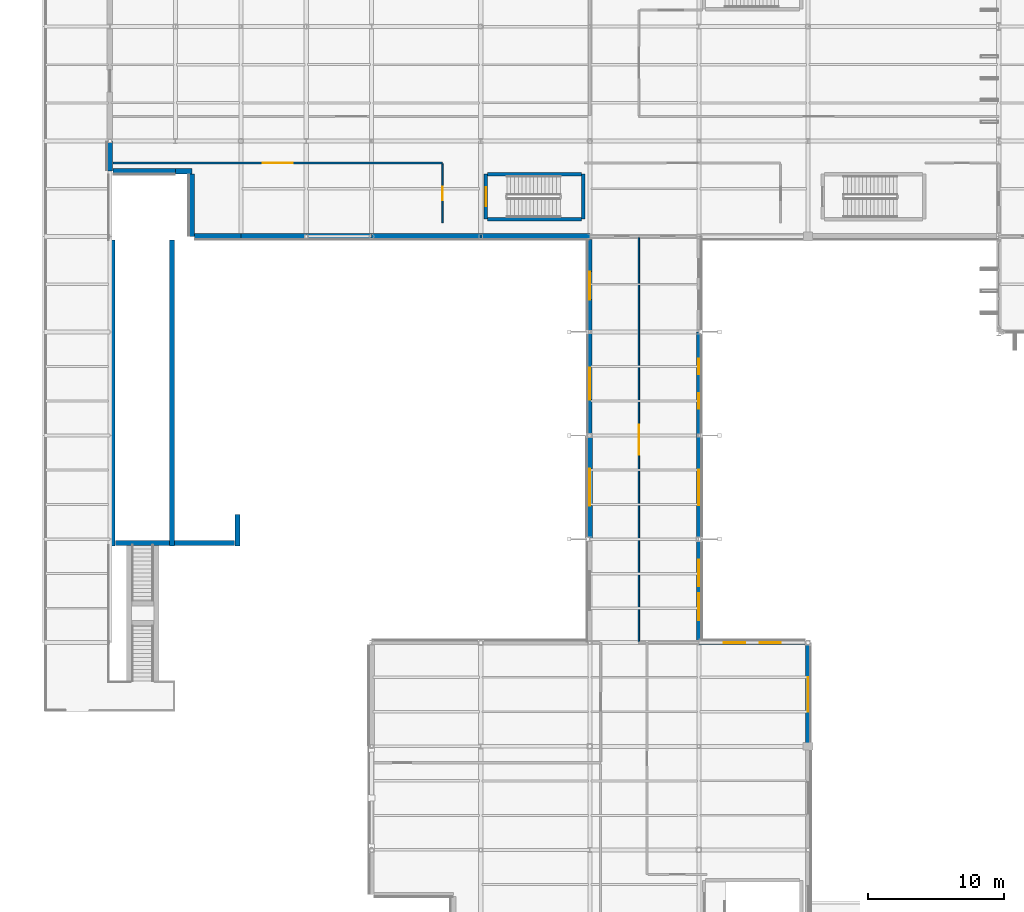
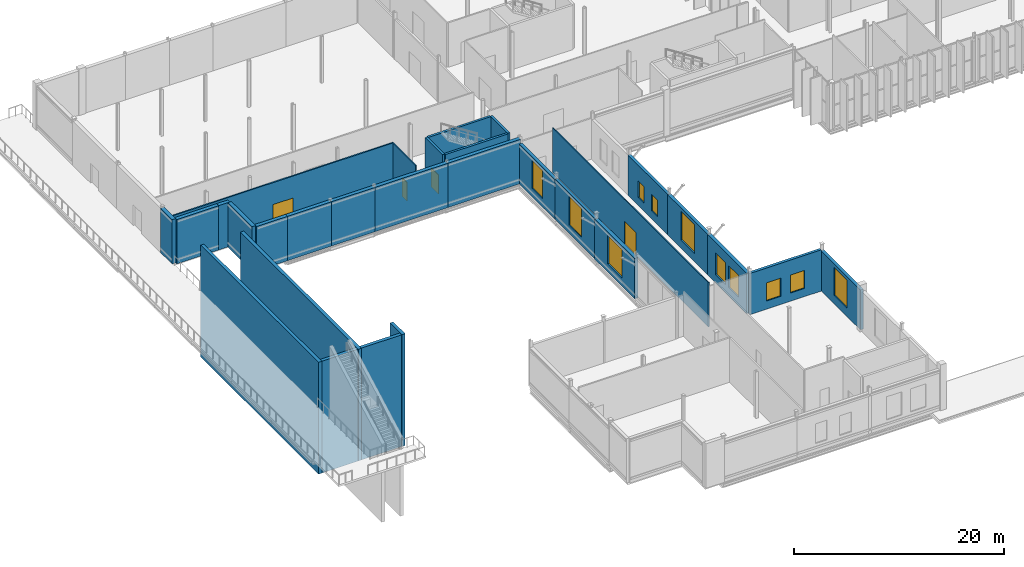
# One storey, part 116 of 147: 29 walls, 11 windows, 4 doors, 15 openings.
"""IFC4 building model written with IfcOpenShell, lengths in metres."""

from ifc_helpers import new_model, si_unit, direction, frame, frame_2d, origin, place, context, subcontext, project, spatial, rectangle, extrude, material, layer, layer_set, type_object, element, fill, save


model = new_model("IFC4")

# Units and contexts
model_context = context("Model", 3, precision=1e-05, world=origin(), true_north=direction((0.0, 1.0)))
body_context = subcontext(model_context, "Body", "Model", "MODEL_VIEW")
ifc_project = project(units=[si_unit("LENGTHUNIT", "METRE"), si_unit("AREAUNIT", "SQUARE_METRE"), si_unit("VOLUMEUNIT", "CUBIC_METRE"), si_unit("PLANEANGLEUNIT", "RADIAN"), si_unit("MASSUNIT", "GRAM", prefix="KILO")], contexts=[model_context])

# Site, building, storey
site_placement = place(None, origin())
site = spatial("IfcSite", under=ifc_project, at=site_placement, CompositionType="ELEMENT")
building_placement = place(site_placement, origin())
building = spatial("IfcBuilding", under=site, at=building_placement, Name="Vekula Escarpment Museum", CompositionType="ELEMENT")
storey_placement = place(building_placement, frame((0.0, 0.0, 7.800048828125)))
storey = spatial("IfcBuildingStorey", under=building, at=storey_placement, Name="L02", CompositionType="ELEMENT", Elevation=7.800048828125)

# Wall, openings, windows
ifc_material_1 = material(Name="Inkisi arkosic sandstone masonry", Category="masonry")
ifc_layer_1 = layer(ifc_material_1, 0.300048828125)
ifc_layer_set_1 = layer_set([ifc_layer_1], Name="Inkisi arkosic sandstone masonry")
wall_type_1 = type_object("IfcWallType", Name="WL-ALM-300", PredefinedType="SOLIDWALL", material=ifc_layer_set_1)
wall_1_placement = place(storey_placement, frame((48.0, 22.800048828125, 0.0), z_axis=(0.0, 0.0, 1.0), x_axis=(1.0, 0.0, 0.0)))
wall_1 = element("IfcWall", 1, at=wall_1_placement, inside=storey, type_object=wall_type_1, Name="Exterior Wall WL-EXT-L02-0323", PredefinedType="SOLIDWALL", context=body_context, shape_type="SweptSolid", body=[
    extrude(rectangle(XDim=7.8359375, YDim=0.300048828125, at=frame_2d((3.91796875, 0.0))), origin(), (0.0, 0.0, 1.0), 4.784912109375),
])
opening_1_placement = place(wall_1_placement, frame((1.8369140625, 0.0, 0.949951171875)))
opening_1 = element("IfcOpeningElement", 2, at=opening_1_placement, cuts=wall_1, Name="Opening WN-24", PredefinedType="OPENING", context=body_context, shape_type="SweptSolid", body=[
    extrude(rectangle(XDim=1.550048828125, YDim=2.10009765625, at=frame_2d((0.77490234375, 1.050048828125))), frame((0.0, 0.159912109375, 0.0), z_axis=(0.0, -1.0, 0.0), x_axis=(1.0, 0.0, 0.0)), (0.0, 0.0, 1.0), 0.320068359375),
])
opening_2_placement = place(wall_1_placement, frame((4.448974609375, 0.0, 0.949951171875)))
opening_2 = element("IfcOpeningElement", 3, at=opening_2_placement, cuts=wall_1, Name="Opening WN-24", PredefinedType="OPENING", context=body_context, shape_type="SweptSolid", body=[
    extrude(rectangle(XDim=1.550048828125, YDim=2.10009765625, at=frame_2d((0.77490234375, 1.050048828125))), frame((0.0, 0.159912109375, 0.0), z_axis=(0.0, -1.0, 0.0), x_axis=(1.0, 0.0, 0.0)), (0.0, 0.0, 1.0), 0.320068359375),
])
ifc_material_2 = material(Name="Double solar-control low-E glass", Category="glass")
window_type_1 = type_object("IfcWindowType", Name="WN-GAL-15x21", PartitioningType="SINGLE_PANEL", PredefinedType="WINDOW", material=ifc_material_2)
window_1_placement = place(opening_1_placement, origin())
window_1 = element("IfcWindow", 4, at=window_1_placement, inside=storey, type_object=window_type_1, Name="Window L02-0136", OverallHeight=2.10009765625, OverallWidth=1.550048828125, PartitioningType="SINGLE_PANEL", PredefinedType="WINDOW", context=body_context, shape_type="SweptSolid", body=[
    extrude(rectangle(XDim=1.550048828125, YDim=2.10009765625, at=frame_2d((0.77490234375, 1.050048828125))), frame((0.0, 0.030029296875, 0.0), z_axis=(0.0, -1.0, 0.0), x_axis=(1.0, 0.0, 0.0)), (0.0, 0.0, 1.0), 0.06005859375),
])
fill(opening_1, window_1)
window_2_placement = place(opening_2_placement, origin())
window_2 = element("IfcWindow", 5, at=window_2_placement, inside=storey, type_object=window_type_1, Name="Window L02-0137", OverallHeight=2.10009765625, OverallWidth=1.550048828125, PartitioningType="SINGLE_PANEL", PredefinedType="WINDOW", context=body_context, shape_type="SweptSolid", body=[
    extrude(rectangle(XDim=1.550048828125, YDim=2.10009765625, at=frame_2d((0.77490234375, 1.050048828125))), frame((0.0, 0.030029296875, 0.0), z_axis=(0.0, -1.0, 0.0), x_axis=(1.0, 0.0, 0.0)), (0.0, 0.0, 1.0), 0.06005859375),
])
fill(opening_2, window_2)

# Wall, opening, window
wall_2_placement = place(storey_placement, frame((40.0, 38.0, 0.0), z_axis=(0.0, 0.0, 1.0), x_axis=(0.0, 1.0, 0.0)))
wall_2 = element("IfcWall", 6, at=wall_2_placement, inside=storey, type_object=wall_type_1, Name="Exterior Wall WL-EXT-L02-0523", PredefinedType="SOLIDWALL", context=body_context, shape_type="SweptSolid", body=[
    extrude(rectangle(XDim=7.60009765625, YDim=0.300048828125, at=frame_2d((3.800048828125, 0.0))), origin(), (0.0, 0.0, 1.0), 4.68505859375),
])
opening_3_placement = place(wall_2_placement, frame((2.625, 0.0, 0.949951171875)))
opening_3 = element("IfcOpeningElement", 7, at=opening_3_placement, cuts=wall_2, Name="Opening WN-36", PredefinedType="OPENING", context=body_context, shape_type="SweptSolid", body=[
    extrude(rectangle(XDim=2.35009765625, YDim=3.330078125, at=frame_2d((1.175048828125, 1.6650390625))), frame((0.0, 0.159912109375, 0.0), z_axis=(0.0, -1.0, 0.0), x_axis=(1.0, 0.0, 0.0)), (0.0, 0.0, 1.0), 0.320068359375),
])
ifc_material_3 = material(Name="Double solar-control low-E glass", Category="glass")
window_type_2 = type_object("IfcWindowType", Name="WN-GAL-23x36", PartitioningType="TRIPLE_PANEL_VERTICAL", PredefinedType="WINDOW", material=ifc_material_3)
window_3_placement = place(opening_3_placement, origin())
window_3 = element("IfcWindow", 8, at=window_3_placement, inside=storey, type_object=window_type_2, Name="Window L02-0238", OverallHeight=3.330078125, OverallWidth=2.35009765625, PartitioningType="SINGLE_PANEL", PredefinedType="WINDOW", context=body_context, shape_type="SweptSolid", body=[
    extrude(rectangle(XDim=2.35009765625, YDim=3.330078125, at=frame_2d((1.175048828125, 1.6650390625))), frame((0.0, 0.030029296875, 0.0), z_axis=(0.0, -1.0, 0.0), x_axis=(1.0, 0.0, 0.0)), (0.0, 0.0, 1.0), 0.06005859375),
])
fill(opening_3, window_3)

ifc_material_4 = material(Name="Inkisi arkosic sandstone masonry", Category="masonry")
ifc_layer_2 = layer(ifc_material_4, 0.320068359375)
ifc_layer_set_2 = layer_set([ifc_layer_2], Name="Inkisi arkosic sandstone masonry")
wall_type_2 = type_object("IfcWallType", Name="WL-ALM-320", PredefinedType="SOLIDWALL", material=ifc_layer_set_2)
wall_3_placement = place(storey_placement, frame((56.0, 22.800048828125, 0.0), z_axis=(0.0, 0.0, 1.0), x_axis=(0.0, -1.0, 0.0)))
wall_3 = element("IfcWall", 9, at=wall_3_placement, inside=storey, type_object=wall_type_2, Name="Exterior Wall WL-EXT-L02-0322", PredefinedType="SOLIDWALL", context=body_context, shape_type="SweptSolid", body=[
    extrude(rectangle(XDim=7.60009765625, YDim=0.320068359375, at=frame_2d((3.800048828125, 0.0))), origin(), (0.0, 0.0, 1.0), 4.635009765625),
])
opening_4_placement = place(wall_3_placement, frame((2.550048828125, 0.0, 0.949951171875)))
opening_4 = element("IfcOpeningElement", 10, at=opening_4_placement, cuts=wall_3, Name="Opening WN-23", PredefinedType="OPENING", context=body_context, shape_type="SweptSolid", body=[
    extrude(rectangle(XDim=2.5, YDim=3.2900390625, at=frame_2d((1.25, 1.64501953125))), frame((0.0, 0.169921875, 0.0), z_axis=(0.0, -1.0, 0.0), x_axis=(1.0, 0.0, 0.0)), (0.0, 0.0, 1.0), 0.340087890625),
])
ifc_material_5 = material(Name="Double solar-control low-E glass", Category="glass")
window_type_3 = type_object("IfcWindowType", Name="WN-GAL-25x35", PartitioningType="TRIPLE_PANEL_VERTICAL", PredefinedType="WINDOW", material=ifc_material_5)
window_4_placement = place(opening_4_placement, origin())
window_4 = element("IfcWindow", 11, at=window_4_placement, inside=storey, type_object=window_type_3, Name="Window L02-0135", OverallHeight=3.2900390625, OverallWidth=2.5, PartitioningType="SINGLE_PANEL", PredefinedType="WINDOW", context=body_context, shape_type="SweptSolid", body=[
    extrude(rectangle(XDim=2.5, YDim=3.2900390625, at=frame_2d((1.25, 1.64501953125))), frame((0.0, 0.030029296875, 0.0), z_axis=(0.0, -1.0, 0.0), x_axis=(1.0, 0.0, 0.0)), (0.0, 0.0, 1.0), 0.06005859375),
])
fill(opening_4, window_4)

# Wall, openings, windows
wall_4_placement = place(storey_placement, frame((48.0, 45.60009765625, 0.0), z_axis=(0.0, 0.0, 1.0), x_axis=(0.0, -1.0, 0.0)))
wall_4 = element("IfcWall", 12, at=wall_4_placement, inside=storey, type_object=wall_type_2, Name="Exterior Wall WL-EXT-L02-0326", PredefinedType="SOLIDWALL", context=body_context, shape_type="SweptSolid", body=[
    extrude(rectangle(XDim=7.60009765625, YDim=0.320068359375, at=frame_2d((3.800048828125, 0.0))), origin(), (0.0, 0.0, 1.0), 4.68505859375),
])
opening_5_placement = place(wall_4_placement, frame((1.958251953125, 0.0, 0.949951171875)))
opening_5 = element("IfcOpeningElement", 13, at=opening_5_placement, cuts=wall_4, Name="Opening WN-29", PredefinedType="OPENING", context=body_context, shape_type="SweptSolid", body=[
    extrude(rectangle(XDim=1.14990234375, YDim=1.89990234375, at=frame_2d((0.574951171875, 0.949951171875))), frame((0.0, 0.169921875, 0.0), z_axis=(0.0, -1.0, 0.0), x_axis=(1.0, 0.0, 0.0)), (0.0, 0.0, 1.0), 0.340087890625),
])
opening_6_placement = place(wall_4_placement, frame((4.49169921875, 0.0, 0.949951171875)))
opening_6 = element("IfcOpeningElement", 14, at=opening_6_placement, cuts=wall_4, Name="Opening WN-29", PredefinedType="OPENING", context=body_context, shape_type="SweptSolid", body=[
    extrude(rectangle(XDim=1.14990234375, YDim=1.89990234375, at=frame_2d((0.574951171875, 0.949951171875))), frame((0.0, 0.169921875, 0.0), z_axis=(0.0, -1.0, 0.0), x_axis=(1.0, 0.0, 0.0)), (0.0, 0.0, 1.0), 0.340087890625),
])
ifc_material_6 = material(Name="Double solar-control low-E glass", Category="glass")
window_type_4 = type_object("IfcWindowType", Name="WN-GAL-11x19", PartitioningType="SINGLE_PANEL", PredefinedType="WINDOW", material=ifc_material_6)
window_5_placement = place(opening_5_placement, origin())
window_5 = element("IfcWindow", 15, at=window_5_placement, inside=storey, type_object=window_type_4, Name="Window L02-0141", OverallHeight=1.89990234375, OverallWidth=1.14990234375, PartitioningType="SINGLE_PANEL", PredefinedType="WINDOW", context=body_context, shape_type="SweptSolid", body=[
    extrude(rectangle(XDim=1.14990234375, YDim=1.89990234375, at=frame_2d((0.574951171875, 0.949951171875))), frame((0.0, 0.030029296875, 0.0), z_axis=(0.0, -1.0, 0.0), x_axis=(1.0, 0.0, 0.0)), (0.0, 0.0, 1.0), 0.06005859375),
])
fill(opening_5, window_5)
window_6_placement = place(opening_6_placement, origin())
window_6 = element("IfcWindow", 16, at=window_6_placement, inside=storey, type_object=window_type_4, Name="Window L02-0142", OverallHeight=1.89990234375, OverallWidth=1.14990234375, PartitioningType="SINGLE_PANEL", PredefinedType="WINDOW", context=body_context, shape_type="SweptSolid", body=[
    extrude(rectangle(XDim=1.14990234375, YDim=1.89990234375, at=frame_2d((0.574951171875, 0.949951171875))), frame((0.0, 0.030029296875, 0.0), z_axis=(0.0, -1.0, 0.0), x_axis=(1.0, 0.0, 0.0)), (0.0, 0.0, 1.0), 0.06005859375),
])
fill(opening_6, window_6)

# Wall, opening, window
wall_5_placement = place(storey_placement, frame((40.0, 45.60009765625, 0.0), z_axis=(0.0, 0.0, 1.0), x_axis=(0.0, 1.0, 0.0)))
wall_5 = element("IfcWall", 17, at=wall_5_placement, inside=storey, type_object=wall_type_2, Name="Exterior Wall WL-EXT-L02-0522", PredefinedType="SOLIDWALL", context=body_context, shape_type="SweptSolid", body=[
    extrude(rectangle(XDim=6.7958984375, YDim=0.320068359375, at=frame_2d((3.39794921875, 0.0))), origin(), (0.0, 0.0, 1.0), 4.635009765625),
])
opening_7_placement = place(wall_5_placement, frame((2.373046875, 0.0, 0.949951171875)))
opening_7 = element("IfcOpeningElement", 18, at=opening_7_placement, cuts=wall_5, Name="Opening WN-35", PredefinedType="OPENING", context=body_context, shape_type="SweptSolid", body=[
    extrude(rectangle(XDim=2.050048828125, YDim=3.2900390625, at=frame_2d((1.02490234375, 1.64501953125))), frame((0.0, 0.169921875, 0.0), z_axis=(0.0, -1.0, 0.0), x_axis=(1.0, 0.0, 0.0)), (0.0, 0.0, 1.0), 0.340087890625),
])
ifc_material_7 = material(Name="Double solar-control low-E glass", Category="glass")
window_type_5 = type_object("IfcWindowType", Name="WN-GAL-20x34", PartitioningType="DOUBLE_PANEL_VERTICAL", PredefinedType="WINDOW", material=ifc_material_7)
window_7_placement = place(opening_7_placement, origin())
window_7 = element("IfcWindow", 19, at=window_7_placement, inside=storey, type_object=window_type_5, Name="Window L02-0237", OverallHeight=3.2900390625, OverallWidth=2.050048828125, PartitioningType="SINGLE_PANEL", PredefinedType="WINDOW", context=body_context, shape_type="SweptSolid", body=[
    extrude(rectangle(XDim=2.050048828125, YDim=3.2900390625, at=frame_2d((1.02490234375, 1.64501953125))), frame((0.0, 0.030029296875, 0.0), z_axis=(0.0, -1.0, 0.0), x_axis=(1.0, 0.0, 0.0)), (0.0, 0.0, 1.0), 0.06005859375),
])
fill(opening_7, window_7)

ifc_material_8 = material(Name="Inkisi arkosic sandstone masonry", Category="masonry")
ifc_layer_3 = layer(ifc_material_8, 0.35009765625)
ifc_layer_set_3 = layer_set([ifc_layer_3], Name="Inkisi arkosic sandstone masonry")
wall_type_3 = type_object("IfcWallType", Name="WL-ALM-350", PredefinedType="SOLIDWALL", material=ifc_layer_set_3)
wall_6_placement = place(storey_placement, frame((48.0, 38.0, 0.0), z_axis=(0.0, 0.0, 1.0), x_axis=(0.0, -1.0, 0.0)))
wall_6 = element("IfcWall", 20, at=wall_6_placement, inside=storey, type_object=wall_type_3, Name="Exterior Wall WL-EXT-L02-0325", PredefinedType="SOLIDWALL", context=body_context, shape_type="SweptSolid", body=[
    extrude(rectangle(XDim=7.60009765625, YDim=0.35009765625, at=frame_2d((3.800048828125, 0.0))), origin(), (0.0, 0.0, 1.0), 4.68505859375),
])
opening_8_placement = place(wall_6_placement, frame((2.5, 0.0, 0.949951171875)))
opening_8 = element("IfcOpeningElement", 21, at=opening_8_placement, cuts=wall_6, Name="Opening WN-28", PredefinedType="OPENING", context=body_context, shape_type="SweptSolid", body=[
    extrude(rectangle(XDim=2.60009765625, YDim=3.330078125, at=frame_2d((1.300048828125, 1.6650390625))), frame((0.0, 0.18505859375, 0.0), z_axis=(0.0, -1.0, 0.0), x_axis=(1.0, 0.0, 0.0)), (0.0, 0.0, 1.0), 0.3701171875),
])
ifc_material_9 = material(Name="Double solar-control low-E glass", Category="glass")
window_type_6 = type_object("IfcWindowType", Name="WN-GAL-26x38", PartitioningType="TRIPLE_PANEL_VERTICAL", PredefinedType="WINDOW", material=ifc_material_9)
window_8_placement = place(opening_8_placement, origin())
window_8 = element("IfcWindow", 22, at=window_8_placement, inside=storey, type_object=window_type_6, Name="Window L02-0140", OverallHeight=3.330078125, OverallWidth=2.60009765625, PartitioningType="SINGLE_PANEL", PredefinedType="WINDOW", context=body_context, shape_type="SweptSolid", body=[
    extrude(rectangle(XDim=2.60009765625, YDim=3.330078125, at=frame_2d((1.300048828125, 1.6650390625))), frame((0.0, 0.030029296875, 0.0), z_axis=(0.0, -1.0, 0.0), x_axis=(1.0, 0.0, 0.0)), (0.0, 0.0, 1.0), 0.06005859375),
])
fill(opening_8, window_8)

# Wall, openings, windows
ifc_material_10 = material(Name="Inkisi arkosic sandstone masonry", Category="masonry")
ifc_layer_4 = layer(ifc_material_10, 0.3798828125)
ifc_layer_set_4 = layer_set([ifc_layer_4], Name="Inkisi arkosic sandstone masonry")
wall_type_4 = type_object("IfcWallType", Name="WL-ALM-380", PredefinedType="SOLIDWALL", material=ifc_layer_set_4)
wall_7_placement = place(storey_placement, frame((48.0, 30.39990234375, 0.0), z_axis=(0.0, 0.0, 1.0), x_axis=(0.0, -1.0, 0.0)))
wall_7 = element("IfcWall", 23, at=wall_7_placement, inside=storey, type_object=wall_type_4, Name="Exterior Wall WL-EXT-L02-0324", PredefinedType="SOLIDWALL", context=body_context, shape_type="SweptSolid", body=[
    extrude(rectangle(XDim=7.44580078125, YDim=0.3798828125, at=frame_2d((3.722900390625, 0.0))), origin(), (0.0, 0.0, 1.0), 4.68505859375),
])
opening_9_placement = place(wall_7_placement, frame((1.507080078125, 0.0, 0.949951171875)))
opening_9 = element("IfcOpeningElement", 24, at=opening_9_placement, cuts=wall_7, Name="Opening WN-26", PredefinedType="OPENING", context=body_context, shape_type="SweptSolid", body=[
    extrude(rectangle(XDim=1.949951171875, YDim=2.550048828125, at=frame_2d((0.97509765625, 1.27490234375))), frame((0.0, 0.199951171875, 0.0), z_axis=(0.0, -1.0, 0.0), x_axis=(1.0, 0.0, 0.0)), (0.0, 0.0, 1.0), 0.39990234375),
])
opening_10_placement = place(wall_7_placement, frame((3.989013671875, 0.0, 0.949951171875)))
opening_10 = element("IfcOpeningElement", 25, at=opening_10_placement, cuts=wall_7, Name="Opening WN-26", PredefinedType="OPENING", context=body_context, shape_type="SweptSolid", body=[
    extrude(rectangle(XDim=1.949951171875, YDim=2.550048828125, at=frame_2d((0.97509765625, 1.27490234375))), frame((0.0, 0.199951171875, 0.0), z_axis=(0.0, -1.0, 0.0), x_axis=(1.0, 0.0, 0.0)), (0.0, 0.0, 1.0), 0.39990234375),
])
ifc_material_11 = material(Name="Double solar-control low-E glass", Category="glass")
window_type_7 = type_object("IfcWindowType", Name="WN-GAL-19x25", PartitioningType="DOUBLE_PANEL_VERTICAL", PredefinedType="WINDOW", material=ifc_material_11)
window_9_placement = place(opening_9_placement, origin())
window_9 = element("IfcWindow", 26, at=window_9_placement, inside=storey, type_object=window_type_7, Name="Window L02-0138", OverallHeight=2.550048828125, OverallWidth=1.949951171875, PartitioningType="SINGLE_PANEL", PredefinedType="WINDOW", context=body_context, shape_type="SweptSolid", body=[
    extrude(rectangle(XDim=1.949951171875, YDim=2.550048828125, at=frame_2d((0.97509765625, 1.27490234375))), frame((0.0, 0.030029296875, 0.0), z_axis=(0.0, -1.0, 0.0), x_axis=(1.0, 0.0, 0.0)), (0.0, 0.0, 1.0), 0.06005859375),
])
fill(opening_9, window_9)
window_10_placement = place(opening_10_placement, origin())
window_10 = element("IfcWindow", 27, at=window_10_placement, inside=storey, type_object=window_type_7, Name="Window L02-0139", OverallHeight=2.550048828125, OverallWidth=1.949951171875, PartitioningType="SINGLE_PANEL", PredefinedType="WINDOW", context=body_context, shape_type="SweptSolid", body=[
    extrude(rectangle(XDim=1.949951171875, YDim=2.550048828125, at=frame_2d((0.97509765625, 1.27490234375))), frame((0.0, 0.030029296875, 0.0), z_axis=(0.0, -1.0, 0.0), x_axis=(1.0, 0.0, 0.0)), (0.0, 0.0, 1.0), 0.06005859375),
])
fill(opening_10, window_10)

# Wall, opening, window
wall_8_placement = place(storey_placement, frame((40.0, 30.39990234375, 0.0), z_axis=(0.0, 0.0, 1.0), x_axis=(0.0, 1.0, 0.0)))
wall_8 = element("IfcWall", 28, at=wall_8_placement, inside=storey, type_object=wall_type_4, Name="Exterior Wall WL-EXT-L02-0524", PredefinedType="SOLIDWALL", context=body_context, shape_type="SweptSolid", body=[
    extrude(rectangle(XDim=7.60009765625, YDim=0.3798828125, at=frame_2d((3.800048828125, 0.0))), origin(), (0.0, 0.0, 1.0), 4.68505859375),
])
opening_11_placement = place(wall_8_placement, frame((2.449951171875, 0.0, 0.949951171875)))
opening_11 = element("IfcOpeningElement", 29, at=opening_11_placement, cuts=wall_8, Name="Opening WN-37", PredefinedType="OPENING", context=body_context, shape_type="SweptSolid", body=[
    extrude(rectangle(XDim=2.699951171875, YDim=3.330078125, at=frame_2d((1.35009765625, 1.6650390625))), frame((0.0, 0.199951171875, 0.0), z_axis=(0.0, -1.0, 0.0), x_axis=(1.0, 0.0, 0.0)), (0.0, 0.0, 1.0), 0.39990234375),
])
ifc_material_12 = material(Name="Double solar-control low-E glass", Category="glass")
window_type_8 = type_object("IfcWindowType", Name="WN-GAL-27x40", PartitioningType="TRIPLE_PANEL_VERTICAL", PredefinedType="WINDOW", material=ifc_material_12)
window_11_placement = place(opening_11_placement, origin())
window_11 = element("IfcWindow", 30, at=window_11_placement, inside=storey, type_object=window_type_8, Name="Window L02-0239", OverallHeight=3.330078125, OverallWidth=2.699951171875, PartitioningType="SINGLE_PANEL", PredefinedType="WINDOW", context=body_context, shape_type="SweptSolid", body=[
    extrude(rectangle(XDim=2.699951171875, YDim=3.330078125, at=frame_2d((1.35009765625, 1.6650390625))), frame((0.0, 0.030029296875, 0.0), z_axis=(0.0, -1.0, 0.0), x_axis=(1.0, 0.0, 0.0)), (0.0, 0.0, 1.0), 0.06005859375),
])
fill(opening_11, window_11)

# Walls
ifc_material_13 = material(Name="Inkisi arkosic sandstone masonry", Category="masonry")
ifc_layer_5 = layer(ifc_material_13, 0.360107421875)
ifc_layer_set_5 = layer_set([ifc_layer_5], Name="Inkisi arkosic sandstone masonry")
wall_type_5 = type_object("IfcWallType", Name="WL-AMP-CHEEK", PredefinedType="SOLIDWALL", material=ifc_layer_set_5)
for number, where, z_axis, x_axis, name in (
    (31, (5.0, 29.909912109375, -7.800048828125), (0.0, 0.0, 1.0), (0.0, 1.0, 0.0), "Stepped Plinth Terrace Wall L02-08"),
    (32, (9.35009765625, 29.909912109375, -7.800048828125), (0.0, 0.0, 1.0), (0.0, 1.0, 0.0), "Stepped Plinth Terrace Wall L02-09"),
):
    element("IfcWall", number, at=place(storey_placement, frame(where, z_axis=z_axis, x_axis=x_axis)), inside=storey, type_object=wall_type_5, Name=name, PredefinedType="SOLIDWALL", context=body_context, shape_type="SweptSolid", body=[
        extrude(rectangle(XDim=22.440185546875, YDim=0.360107421875, at=frame_2d((11.22021484375, 0.0))), origin(), (0.0, 0.0, 1.0), 12.97998046875),
    ])
wall_9_placement = place(storey_placement, frame((14.14990234375, 29.909912109375, -7.800048828125), z_axis=(0.0, 0.0, 1.0), x_axis=(0.0, 1.0, 0.0)))
element("IfcWall", 33, at=wall_9_placement, inside=storey, type_object=wall_type_5, Name="Stepped Plinth Terrace Wall L02-10", PredefinedType="SOLIDWALL", context=body_context, shape_type="SweptSolid", body=[
    extrude(rectangle(XDim=2.280029296875, YDim=0.360107421875, at=frame_2d((1.14013671875, 0.0))), origin(), (0.0, 0.0, 1.0), 12.97998046875),
])
wall_10_placement = place(storey_placement, frame((5.199951171875, 30.10009765625, -7.800048828125), z_axis=(0.0, 0.0, 1.0), x_axis=(1.0, 0.0, 0.0)))
element("IfcWall", 34, at=wall_10_placement, inside=storey, type_object=wall_type_5, Name="Stepped Plinth Terrace Wall L02-11", PredefinedType="SOLIDWALL", context=body_context, shape_type="SweptSolid", body=[
    extrude(rectangle(XDim=3.966064453125, YDim=0.360107421875, at=frame_2d((1.98291015625, 0.0))), origin(), (0.0, 0.0, 1.0), 12.97998046875),
])
wall_11_placement = place(storey_placement, frame((9.533935546875, 30.10009765625, -7.800048828125), z_axis=(0.0, 0.0, 1.0), x_axis=(1.0, 0.0, 0.0)))
element("IfcWall", 35, at=wall_11_placement, inside=storey, type_object=wall_type_5, Name="Stepped Plinth Terrace Wall L02-11", PredefinedType="SOLIDWALL", context=body_context, shape_type="SweptSolid", body=[
    extrude(rectangle(XDim=4.416015625, YDim=0.360107421875, at=frame_2d((2.2080078125, 0.0))), origin(), (0.0, 0.0, 1.0), 12.97998046875),
])
ifc_material_14 = material(Name="Concrete C35/45", Category="concrete")
ifc_layer_6 = layer(ifc_material_14, 0.39990234375)
ifc_layer_set_6 = layer_set([ifc_layer_6], Name="Concrete C35/45")
wall_type_6 = type_object("IfcWallType", Name="WL-ARC-400", PredefinedType="SOLIDWALL", material=ifc_layer_set_6)
wall_12_placement = place(storey_placement, frame((4.800048828125, 57.39990234375, 0.0), z_axis=(0.0, 0.0, 1.0), x_axis=(0.0, 1.0, 0.0)))
element("IfcWall", 36, at=wall_12_placement, inside=storey, type_object=wall_type_6, Name="Exterior Wall WL-EXT-L02-0513", PredefinedType="SOLIDWALL", context=body_context, shape_type="SweptSolid", body=[
    extrude(rectangle(XDim=2.2001953125, YDim=0.39990234375, at=frame_2d((1.10009765625, 0.0))), origin(), (0.0, 0.0, 1.0), 5.14990234375),
])
wall_13_placement = place(storey_placement, frame((9.60009765625, 57.39990234375, 0.0), z_axis=(0.0, 0.0, 1.0), x_axis=(-1.0, 0.0, 0.0)))
element("IfcWall", 37, at=wall_13_placement, inside=storey, type_object=wall_type_6, Name="Exterior Wall WL-EXT-L02-0514", PredefinedType="SOLIDWALL", context=body_context, shape_type="SweptSolid", body=[
    extrude(rectangle(XDim=4.59619140625, YDim=0.39990234375, at=frame_2d((2.298095703125, 0.0))), origin(), (0.0, 0.0, 1.0), 5.14990234375),
])
wall_14_placement = place(storey_placement, frame((10.800048828125, 57.39990234375, 0.0), z_axis=(0.0, 0.0, 1.0), x_axis=(-1.0, 0.0, 0.0)))
element("IfcWall", 38, at=wall_14_placement, inside=storey, type_object=wall_type_6, Name="Exterior Wall WL-EXT-L02-0515", PredefinedType="SOLIDWALL", context=body_context, shape_type="SweptSolid", body=[
    extrude(rectangle(XDim=1.199951171875, YDim=0.39990234375, at=frame_2d((0.60009765625, 0.0))), origin(), (0.0, 0.0, 1.0), 5.14990234375),
])
wall_15_placement = place(storey_placement, frame((10.800048828125, 52.60009765625, 0.0), z_axis=(0.0, 0.0, 1.0), x_axis=(0.0, 1.0, 0.0)))
element("IfcWall", 39, at=wall_15_placement, inside=storey, type_object=wall_type_6, Name="Exterior Wall WL-EXT-L02-0516", PredefinedType="SOLIDWALL", context=body_context, shape_type="SweptSolid", body=[
    extrude(rectangle(XDim=4.595947265625, YDim=0.39990234375, at=frame_2d((2.2978515625, 0.0))), origin(), (0.0, 0.0, 1.0), 5.14990234375),
])
wall_16_placement = place(storey_placement, frame((14.39990234375, 52.60009765625, 0.0), z_axis=(0.0, 0.0, 1.0), x_axis=(-1.0, 0.0, 0.0)))
element("IfcWall", 40, at=wall_16_placement, inside=storey, type_object=wall_type_6, Name="Exterior Wall WL-EXT-L02-0517", PredefinedType="SOLIDWALL", context=body_context, shape_type="SweptSolid", body=[
    extrude(rectangle(XDim=3.39599609375, YDim=0.39990234375, at=frame_2d((1.697998046875, 0.0))), origin(), (0.0, 0.0, 1.0), 5.14990234375),
])
for number, where, z_axis, x_axis, name in (
    (41, (19.199951171875, 52.60009765625, 0.0), (0.0, 0.0, 1.0), (-1.0, 0.0, 0.0), "Exterior Wall WL-EXT-L02-0518"),
    (42, (24.0, 52.60009765625, 0.0), (0.0, 0.0, 1.0), (-1.0, 0.0, 0.0), "Exterior Wall WL-EXT-L02-0519"),
):
    element("IfcWall", number, at=place(storey_placement, frame(where, z_axis=z_axis, x_axis=x_axis)), inside=storey, type_object=wall_type_6, Name=name, PredefinedType="SOLIDWALL", context=body_context, shape_type="SweptSolid", body=[
        extrude(rectangle(XDim=4.800048828125, YDim=0.39990234375, at=frame_2d((2.39990234375, 0.0))), origin(), (0.0, 0.0, 1.0), 5.14990234375),
    ])
for number, where, z_axis, x_axis, name in (
    (43, (32.0, 52.60009765625, 0.0), (0.0, 0.0, 1.0), (-1.0, 0.0, 0.0), "Exterior Wall WL-EXT-L02-0520"),
    (44, (40.0, 52.60009765625, 0.0), (0.0, 0.0, 1.0), (-1.0, 0.0, 0.0), "Exterior Wall WL-EXT-L02-0521"),
):
    element("IfcWall", number, at=place(storey_placement, frame(where, z_axis=z_axis, x_axis=x_axis)), inside=storey, type_object=wall_type_6, Name=name, PredefinedType="SOLIDWALL", context=body_context, shape_type="SweptSolid", body=[
        extrude(rectangle(XDim=8.0, YDim=0.39990234375, at=frame_2d((4.0, 0.0))), origin(), (0.0, 0.0, 1.0), 5.14990234375),
    ])

# Wall, opening, door
ifc_material_15 = material(Name="Concrete C35/45", Category="concrete")
ifc_layer_7 = layer(ifc_material_15, 0.25)
ifc_layer_set_7 = layer_set([ifc_layer_7], Name="Concrete C35/45")
wall_type_7 = type_object("IfcWallType", Name="WL-CORE-250", PredefinedType="SHEAR", material=ifc_layer_set_7)
wall_17_placement = place(storey_placement, frame((32.375, 53.875, 0.0), z_axis=(0.0, 0.0, 1.0), x_axis=(0.0, 1.0, 0.0)))
wall_17 = element("IfcWall", 45, at=wall_17_placement, inside=storey, type_object=wall_type_7, Name="Stair Core Wall ST-04 L02 W", PredefinedType="SHEAR", context=body_context, shape_type="SweptSolid", body=[
    extrude(rectangle(XDim=3.2900390625, YDim=0.25, at=frame_2d((1.64501953125, 0.0))), origin(), (0.0, 0.0, 1.0), 5.14990234375),
])
opening_12_placement = place(wall_17_placement, frame((0.945068359375, 0.0, 0.0)))
opening_12 = element("IfcOpeningElement", 46, at=opening_12_placement, cuts=wall_17, Name="Opening DR-FD60", PredefinedType="OPENING", context=body_context, shape_type="SweptSolid", body=[
    extrude(rectangle(XDim=1.39990234375, YDim=2.199951171875, at=frame_2d((0.699951171875, 1.10009765625))), frame((0.0, 0.135009765625, 0.0), z_axis=(0.0, -1.0, 0.0), x_axis=(1.0, 0.0, 0.0)), (0.0, 0.0, 1.0), 0.27001953125),
])
ifc_material_16 = material(Name="Fire-rated steel stair door", Category="steel")
door_type_1 = type_object("IfcDoorType", Name="DR-STAIR-1400x2200", OperationType="NOTDEFINED", PredefinedType="DOOR", material=ifc_material_16)
door_1_placement = place(opening_12_placement, origin())
door_1 = element("IfcDoor", 47, at=door_1_placement, inside=storey, type_object=door_type_1, Name="Protected Exit Stair Door ST-04 L02", OperationType="SINGLE_SWING_LEFT", OverallHeight=2.199951171875, OverallWidth=1.39990234375, PredefinedType="DOOR", context=body_context, shape_type="SweptSolid", body=[
    extrude(rectangle(XDim=1.39990234375, YDim=2.199951171875, at=frame_2d((0.699951171875, 1.10009765625))), frame((0.0, 0.02490234375, 0.0), z_axis=(0.0, -1.0, 0.0), x_axis=(1.0, 0.0, 0.0)), (0.0, 0.0, 1.0), 0.050048828125),
])
fill(opening_12, door_1)

# Walls
wall_18_placement = place(storey_placement, frame((39.52490234375, 53.875, 0.0), z_axis=(0.0, 0.0, 1.0), x_axis=(0.0, 1.0, 0.0)))
element("IfcWall", 48, at=wall_18_placement, inside=storey, type_object=wall_type_7, Name="Stair Core Wall ST-04 L02 E", PredefinedType="SHEAR", context=body_context, shape_type="SweptSolid", body=[
    extrude(rectangle(XDim=3.2900390625, YDim=0.25, at=frame_2d((1.64501953125, 0.0))), origin(), (0.0, 0.0, 1.0), 5.14990234375),
])
for number, where, z_axis, x_axis, name in (
    (49, (32.50390625, 53.875, 0.0), (0.0, 0.0, 1.0), (1.0, 0.0, 0.0), "Stair Core Wall ST-04 L02 S"),
    (50, (32.50390625, 57.1650390625, 0.0), (0.0, 0.0, 1.0), (1.0, 0.0, 0.0), "Stair Core Wall ST-04 L02 N"),
):
    element("IfcWall", number, at=place(storey_placement, frame(where, z_axis=z_axis, x_axis=x_axis)), inside=storey, type_object=wall_type_7, Name=name, PredefinedType="SHEAR", context=body_context, shape_type="SweptSolid", body=[
        extrude(rectangle(XDim=6.89208984375, YDim=0.25, at=frame_2d((3.446044921875, 0.0))), origin(), (0.0, 0.0, 1.0), 5.14990234375),
    ])

# Wall, opening, door
ifc_material_17 = material(Name="Lightweight studio partition", Category="gypsum")
ifc_layer_8 = layer(ifc_material_17, 0.1201171875)
ifc_layer_set_8 = layer_set([ifc_layer_8], Name="Lightweight studio partition")
wall_type_8 = type_object("IfcWallType", Name="WL-PART-120", PredefinedType="PARTITIONING", material=ifc_layer_set_8)
wall_19_placement = place(storey_placement, frame((29.199951171875, 53.60009765625, 0.0), z_axis=(0.0, 0.0, 1.0), x_axis=(0.0, 1.0, 0.0)))
wall_19 = element("IfcWall", 51, at=wall_19_placement, inside=storey, type_object=wall_type_8, Name="Interior Partition WL-INT-L02-0027", PredefinedType="PARTITIONING", context=body_context, shape_type="SweptSolid", body=[
    extrude(rectangle(XDim=4.32080078125, YDim=0.1201171875, at=frame_2d((2.160400390625, 0.0))), origin(), (0.0, 0.0, 1.0), 5.14990234375),
])
opening_13_placement = place(wall_19_placement, frame((1.660400390625, 0.0, 0.0)))
opening_13 = element("IfcOpeningElement", 52, at=opening_13_placement, cuts=wall_19, Name="Opening DR-OF10", PredefinedType="OPENING", context=body_context, shape_type="SweptSolid", body=[
    extrude(rectangle(XDim=1.0, YDim=2.14990234375, at=frame_2d((0.5, 1.074951171875))), frame((0.0, 0.070068359375, 0.0), z_axis=(0.0, -1.0, 0.0), x_axis=(1.0, 0.0, 0.0)), (0.0, 0.0, 1.0), 0.14013671875),
])
ifc_material_18 = material(Name="Solid core timber study door", Category="wood")
door_type_2 = type_object("IfcDoorType", Name="DR-OFF-1000x2150", OperationType="NOTDEFINED", PredefinedType="DOOR", material=ifc_material_18)
door_2_placement = place(opening_13_placement, origin())
door_2 = element("IfcDoor", 53, at=door_2_placement, inside=storey, type_object=door_type_2, Name="Interior Door L02-025", OperationType="SINGLE_SWING_LEFT", OverallHeight=2.14990234375, OverallWidth=1.0, PredefinedType="DOOR", context=body_context, shape_type="SweptSolid", body=[
    extrude(rectangle(XDim=1.0, YDim=2.14990234375, at=frame_2d((0.5, 1.074951171875))), frame((0.0, 0.02490234375, 0.0), z_axis=(0.0, -1.0, 0.0), x_axis=(1.0, 0.0, 0.0)), (0.0, 0.0, 1.0), 0.050048828125),
])
fill(opening_13, door_2)

wall_20_placement = place(storey_placement, frame((43.60009765625, 22.864013671875, 0.0), z_axis=(0.0, 0.0, 1.0), x_axis=(0.0, 1.0, 0.0)))
wall_20 = element("IfcWall", 54, at=wall_20_placement, inside=storey, type_object=wall_type_8, Name="Interior Partition WL-INT-L02-0069", PredefinedType="PARTITIONING", context=body_context, shape_type="SweptSolid", body=[
    extrude(rectangle(XDim=29.652099609375, YDim=0.1201171875, at=frame_2d((14.826171875, 0.0))), origin(), (0.0, 0.0, 1.0), 5.14990234375),
])
opening_14_placement = place(wall_20_placement, frame((13.72607421875, 0.0, 0.0)))
opening_14 = element("IfcOpeningElement", 55, at=opening_14_placement, cuts=wall_20, Name="Opening DR-GL22", PredefinedType="OPENING", context=body_context, shape_type="SweptSolid", body=[
    extrude(rectangle(XDim=2.199951171875, YDim=2.60009765625, at=frame_2d((1.10009765625, 1.300048828125))), frame((0.0, 0.070068359375, 0.0), z_axis=(0.0, -1.0, 0.0), x_axis=(1.0, 0.0, 0.0)), (0.0, 0.0, 1.0), 0.14013671875),
])
ifc_material_19 = material(Name="Double acoustic timber gallery door", Category="wood")
door_type_3 = type_object("IfcDoorType", Name="DR-GAL-2200x2600", OperationType="NOTDEFINED", PredefinedType="DOOR", material=ifc_material_19)
door_3_placement = place(opening_14_placement, origin())
door_3 = element("IfcDoor", 56, at=door_3_placement, inside=storey, type_object=door_type_3, Name="Interior Door L02-061", OperationType="SINGLE_SWING_LEFT", OverallHeight=2.60009765625, OverallWidth=2.199951171875, PredefinedType="DOOR", context=body_context, shape_type="SweptSolid", body=[
    extrude(rectangle(XDim=2.199951171875, YDim=2.60009765625, at=frame_2d((1.10009765625, 1.300048828125))), frame((0.0, 0.02490234375, 0.0), z_axis=(0.0, -1.0, 0.0), x_axis=(1.0, 0.0, 0.0)), (0.0, 0.0, 1.0), 0.050048828125),
])
fill(opening_14, door_3)

ifc_material_20 = material(Name="Gypsum board dry-lined partition", Category="gypsum")
ifc_layer_9 = layer(ifc_material_20, 0.14990234375)
ifc_layer_set_9 = layer_set([ifc_layer_9], Name="Gypsum board dry-lined partition")
wall_type_9 = type_object("IfcWallType", Name="WL-PART-150", PredefinedType="PARTITIONING", material=ifc_layer_set_9)
wall_21_placement = place(storey_placement, frame((5.00390625, 58.0, 0.0), z_axis=(0.0, 0.0, 1.0), x_axis=(1.0, 0.0, 0.0)))
wall_21 = element("IfcWall", 57, at=wall_21_placement, inside=storey, type_object=wall_type_9, Name="Interior Partition WL-INT-L02-0017", PredefinedType="PARTITIONING", context=body_context, shape_type="SweptSolid", body=[
    extrude(rectangle(XDim=24.196044921875, YDim=0.14990234375, at=frame_2d((12.09814453125, 0.0))), origin(), (0.0, 0.0, 1.0), 5.14990234375),
])
opening_15_placement = place(wall_21_placement, frame((10.998046875, 0.0, 0.0)))
opening_15 = element("IfcOpeningElement", 58, at=opening_15_placement, cuts=wall_21, Name="Opening DR-GL22", PredefinedType="OPENING", context=body_context, shape_type="SweptSolid", body=[
    extrude(rectangle(XDim=2.199951171875, YDim=2.60009765625, at=frame_2d((1.10009765625, 1.300048828125))), frame((0.0, 0.0849609375, 0.0), z_axis=(0.0, -1.0, 0.0), x_axis=(1.0, 0.0, 0.0)), (0.0, 0.0, 1.0), 0.169921875),
])
door_4_placement = place(opening_15_placement, origin())
door_4 = element("IfcDoor", 59, at=door_4_placement, inside=storey, type_object=door_type_3, Name="Interior Door L02-015", OperationType="SINGLE_SWING_LEFT", OverallHeight=2.60009765625, OverallWidth=2.199951171875, PredefinedType="DOOR", context=body_context, shape_type="SweptSolid", body=[
    extrude(rectangle(XDim=2.199951171875, YDim=2.60009765625, at=frame_2d((1.10009765625, 1.300048828125))), frame((0.0, 0.02490234375, 0.0), z_axis=(0.0, -1.0, 0.0), x_axis=(1.0, 0.0, 0.0)), (0.0, 0.0, 1.0), 0.050048828125),
])
fill(opening_15, door_4)

save(model, "model.ifc")
